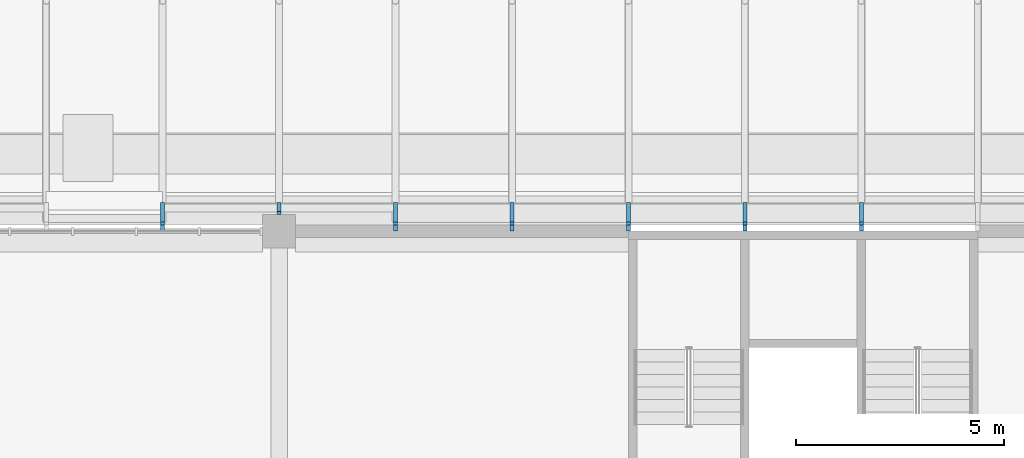
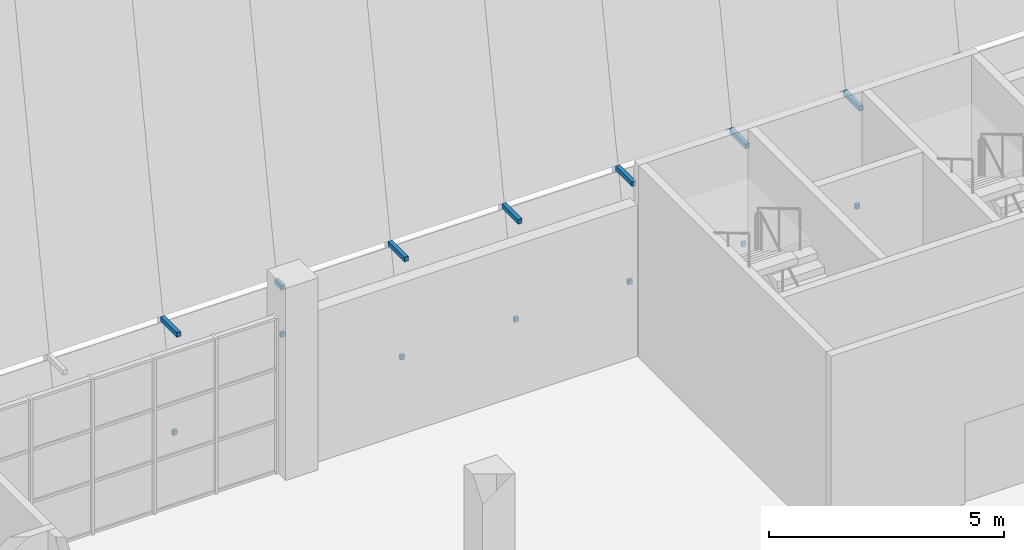
# One storey, part 54 of 101: 14 discrete accessories.
"""IFC4 building model written with IfcOpenShell, lengths in metres."""

from ifc_helpers import new_model, si_unit, direction, frame, origin, origin_2d, place, context, subcontext, project, spatial, rectangle, extrude, material, type_object, element, save


model = new_model("IFC4")

# Units and contexts
model_context = context("Model", 3, precision=1e-05, world=origin(), true_north=direction((0.0, 1.0)))
body_context = subcontext(model_context, "Body", "Model", "MODEL_VIEW")
ifc_project = project(units=[si_unit("LENGTHUNIT", "METRE"), si_unit("AREAUNIT", "SQUARE_METRE"), si_unit("VOLUMEUNIT", "CUBIC_METRE"), si_unit("PLANEANGLEUNIT", "RADIAN"), si_unit("MASSUNIT", "GRAM", prefix="KILO")], contexts=[model_context])

# Site, building, storey
site_placement = place(None, origin())
site = spatial("IfcSite", under=ifc_project, at=site_placement, CompositionType="ELEMENT")
building_placement = place(site_placement, origin())
building = spatial("IfcBuilding", under=site, at=building_placement, Name="Almond Square Museum", CompositionType="ELEMENT")
storey_placement = place(building_placement, frame((0.0, 0.0, 5.5)))
storey = spatial("IfcBuildingStorey", under=building, at=storey_placement, Name="L01", CompositionType="ELEMENT", Elevation=5.5)

# Discrete accessories
ifc_material = material(Name="Stainless steel", Category="steel")
discrete_accessory_type = type_object("IfcDiscreteAccessoryType", Name="Louvre post bracket", PredefinedType="BRACKET", material=ifc_material)
discrete_accessory_1_placement = place(storey_placement, frame((112.39990234375, 109.386474609375, 1.688720703125), z_axis=(0.0, 0.0, 1.0), x_axis=(1.0, 0.0, 0.0)))
element("IfcDiscreteAccessory", 1, at=discrete_accessory_1_placement, inside=storey, type_object=discrete_accessory_type, Name="Bracket louvre post", PredefinedType="BRACKET", context=body_context, shape_type="SweptSolid", body=[
    extrude(rectangle(XDim=0.10009765625, YDim=0.076904296875, at=origin_2d()), origin(), (0.0, 0.0, 1.0), 0.1201171875),
])
discrete_accessory_2_placement = place(storey_placement, frame((112.39990234375, 109.545166015625, 4.33984375), z_axis=(0.0, 0.0, 1.0), x_axis=(1.0, 0.0, 0.0)))
element("IfcDiscreteAccessory", 2, at=discrete_accessory_2_placement, inside=storey, type_object=discrete_accessory_type, Name="Bracket louvre post", PredefinedType="BRACKET", context=body_context, shape_type="SweptSolid", body=[
    extrude(rectangle(XDim=0.10009765625, YDim=0.6943359375, at=origin_2d()), origin(), (0.0, 0.0, 1.0), 0.1201171875),
])
discrete_accessory_3_placement = place(storey_placement, frame((115.199951171875, 109.636474609375, 3.1064453125), z_axis=(0.0, 0.0, 1.0), x_axis=(1.0, 0.0, 0.0)))
element("IfcDiscreteAccessory", 3, at=discrete_accessory_3_placement, inside=storey, type_object=discrete_accessory_type, Name="Bracket louvre post", PredefinedType="BRACKET", context=body_context, shape_type="SweptSolid", body=[
    extrude(rectangle(XDim=0.10009765625, YDim=0.076904296875, at=origin_2d()), origin(), (0.0, 0.0, 1.0), 0.1201171875),
])
discrete_accessory_4_placement = place(storey_placement, frame((115.199951171875, 109.7451171875, 4.33984375), z_axis=(0.0, 0.0, 1.0), x_axis=(1.0, 0.0, 0.0)))
element("IfcDiscreteAccessory", 4, at=discrete_accessory_4_placement, inside=storey, type_object=discrete_accessory_type, Name="Bracket louvre post", PredefinedType="BRACKET", context=body_context, shape_type="SweptSolid", body=[
    extrude(rectangle(XDim=0.10009765625, YDim=0.29443359375, at=origin_2d()), origin(), (0.0, 0.0, 1.0), 0.1201171875),
])
discrete_accessory_5_placement = place(storey_placement, frame((118.0, 109.386474609375, 1.688720703125), z_axis=(0.0, 0.0, 1.0), x_axis=(1.0, 0.0, 0.0)))
element("IfcDiscreteAccessory", 5, at=discrete_accessory_5_placement, inside=storey, type_object=discrete_accessory_type, Name="Bracket louvre post", PredefinedType="BRACKET", context=body_context, shape_type="SweptSolid", body=[
    extrude(rectangle(XDim=0.10009765625, YDim=0.076904296875, at=origin_2d()), origin(), (0.0, 0.0, 1.0), 0.1201171875),
])
discrete_accessory_6_placement = place(storey_placement, frame((118.0, 109.545166015625, 4.33984375), z_axis=(0.0, 0.0, 1.0), x_axis=(1.0, 0.0, 0.0)))
element("IfcDiscreteAccessory", 6, at=discrete_accessory_6_placement, inside=storey, type_object=discrete_accessory_type, Name="Bracket louvre post", PredefinedType="BRACKET", context=body_context, shape_type="SweptSolid", body=[
    extrude(rectangle(XDim=0.10009765625, YDim=0.6943359375, at=origin_2d()), origin(), (0.0, 0.0, 1.0), 0.1201171875),
])
discrete_accessory_7_placement = place(storey_placement, frame((120.800048828125, 109.386474609375, 1.688720703125), z_axis=(0.0, 0.0, 1.0), x_axis=(1.0, 0.0, 0.0)))
element("IfcDiscreteAccessory", 7, at=discrete_accessory_7_placement, inside=storey, type_object=discrete_accessory_type, Name="Bracket louvre post", PredefinedType="BRACKET", context=body_context, shape_type="SweptSolid", body=[
    extrude(rectangle(XDim=0.10009765625, YDim=0.076904296875, at=origin_2d()), origin(), (0.0, 0.0, 1.0), 0.1201171875),
])
discrete_accessory_8_placement = place(storey_placement, frame((120.800048828125, 109.545166015625, 4.33984375), z_axis=(0.0, 0.0, 1.0), x_axis=(1.0, 0.0, 0.0)))
element("IfcDiscreteAccessory", 8, at=discrete_accessory_8_placement, inside=storey, type_object=discrete_accessory_type, Name="Bracket louvre post", PredefinedType="BRACKET", context=body_context, shape_type="SweptSolid", body=[
    extrude(rectangle(XDim=0.10009765625, YDim=0.6943359375, at=origin_2d()), origin(), (0.0, 0.0, 1.0), 0.1201171875),
])
discrete_accessory_9_placement = place(storey_placement, frame((123.60009765625, 109.386474609375, 1.688720703125), z_axis=(0.0, 0.0, 1.0), x_axis=(1.0, 0.0, 0.0)))
element("IfcDiscreteAccessory", 9, at=discrete_accessory_9_placement, inside=storey, type_object=discrete_accessory_type, Name="Bracket louvre post", PredefinedType="BRACKET", context=body_context, shape_type="SweptSolid", body=[
    extrude(rectangle(XDim=0.10009765625, YDim=0.076904296875, at=origin_2d()), origin(), (0.0, 0.0, 1.0), 0.1201171875),
])
discrete_accessory_10_placement = place(storey_placement, frame((123.60009765625, 109.545166015625, 4.33984375), z_axis=(0.0, 0.0, 1.0), x_axis=(1.0, 0.0, 0.0)))
element("IfcDiscreteAccessory", 10, at=discrete_accessory_10_placement, inside=storey, type_object=discrete_accessory_type, Name="Bracket louvre post", PredefinedType="BRACKET", context=body_context, shape_type="SweptSolid", body=[
    extrude(rectangle(XDim=0.10009765625, YDim=0.6943359375, at=origin_2d()), origin(), (0.0, 0.0, 1.0), 0.1201171875),
])
discrete_accessory_11_placement = place(storey_placement, frame((126.39990234375, 109.386474609375, 1.688720703125), z_axis=(0.0, 0.0, 1.0), x_axis=(1.0, 0.0, 0.0)))
element("IfcDiscreteAccessory", 11, at=discrete_accessory_11_placement, inside=storey, type_object=discrete_accessory_type, Name="Bracket louvre post", PredefinedType="BRACKET", context=body_context, shape_type="SweptSolid", body=[
    extrude(rectangle(XDim=0.10009765625, YDim=0.076904296875, at=origin_2d()), origin(), (0.0, 0.0, 1.0), 0.1201171875),
])
discrete_accessory_12_placement = place(storey_placement, frame((126.39990234375, 109.545166015625, 4.33984375), z_axis=(0.0, 0.0, 1.0), x_axis=(1.0, 0.0, 0.0)))
element("IfcDiscreteAccessory", 12, at=discrete_accessory_12_placement, inside=storey, type_object=discrete_accessory_type, Name="Bracket louvre post", PredefinedType="BRACKET", context=body_context, shape_type="SweptSolid", body=[
    extrude(rectangle(XDim=0.10009765625, YDim=0.6943359375, at=origin_2d()), origin(), (0.0, 0.0, 1.0), 0.1201171875),
])
discrete_accessory_13_placement = place(storey_placement, frame((129.199951171875, 109.386474609375, 1.688720703125), z_axis=(0.0, 0.0, 1.0), x_axis=(1.0, 0.0, 0.0)))
element("IfcDiscreteAccessory", 13, at=discrete_accessory_13_placement, inside=storey, type_object=discrete_accessory_type, Name="Bracket louvre post", PredefinedType="BRACKET", context=body_context, shape_type="SweptSolid", body=[
    extrude(rectangle(XDim=0.10009765625, YDim=0.076904296875, at=origin_2d()), origin(), (0.0, 0.0, 1.0), 0.1201171875),
])
discrete_accessory_14_placement = place(storey_placement, frame((129.199951171875, 109.545166015625, 4.33984375), z_axis=(0.0, 0.0, 1.0), x_axis=(1.0, 0.0, 0.0)))
element("IfcDiscreteAccessory", 14, at=discrete_accessory_14_placement, inside=storey, type_object=discrete_accessory_type, Name="Bracket louvre post", PredefinedType="BRACKET", context=body_context, shape_type="SweptSolid", body=[
    extrude(rectangle(XDim=0.10009765625, YDim=0.6943359375, at=origin_2d()), origin(), (0.0, 0.0, 1.0), 0.1201171875),
])

save(model, "model.ifc")
